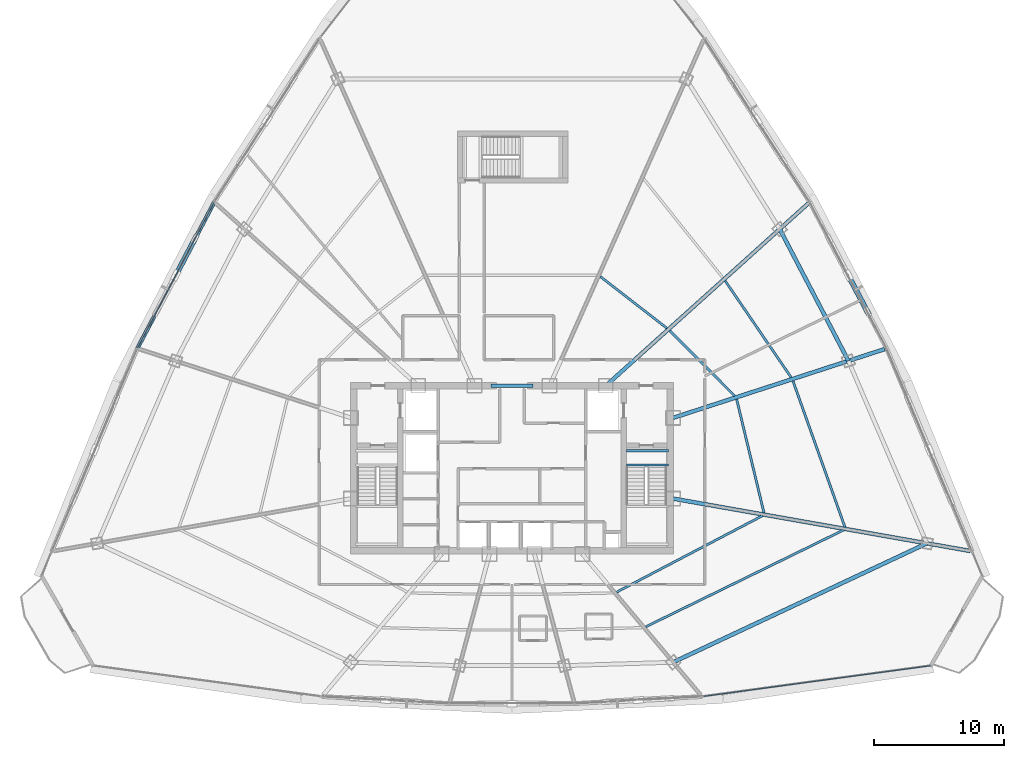
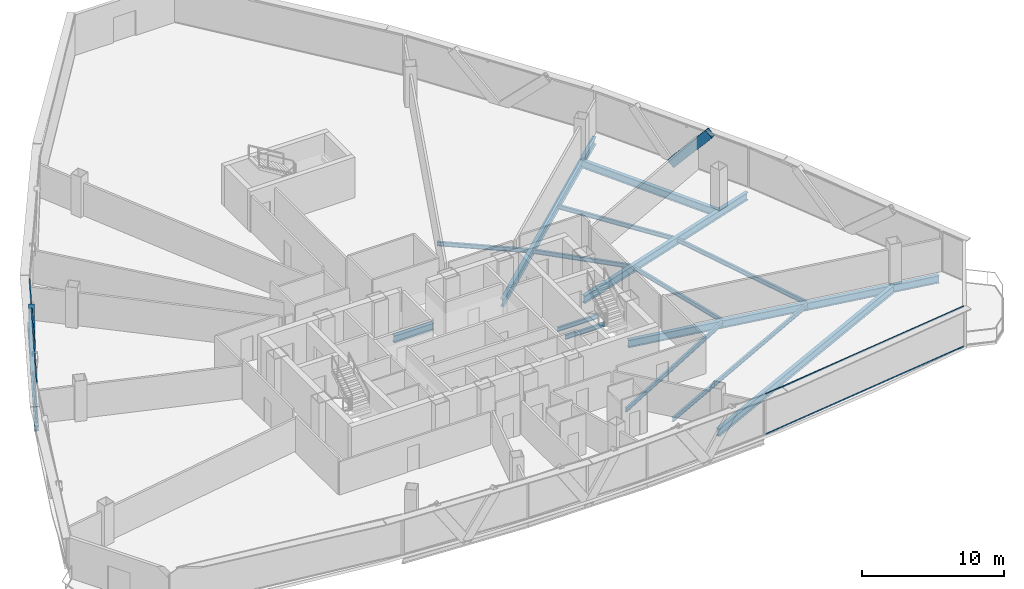
# One storey, part 13 of 34: 16 beams, 6 members, 2 elements without a shape of their own.
"""IFC4 building model written with IfcOpenShell, lengths in metres."""

from ifc_helpers import new_model, si_unit, direction, frame, origin, origin_2d, place, context, subcontext, project, spatial, hollow_rectangle, i_section, extrude, source, transform, mapped, material, layer, layer_set, material_profile, profile_set, type_object, element, aggregate, save


model = new_model("IFC4")

# Units and contexts
model_context = context("Model", 3, precision=1e-05, world=origin(), true_north=direction((0.0, 1.0)))
body_context = subcontext(model_context, "Body", "Model", "MODEL_VIEW")
ifc_project = project(units=[si_unit("LENGTHUNIT", "METRE"), si_unit("AREAUNIT", "SQUARE_METRE"), si_unit("VOLUMEUNIT", "CUBIC_METRE"), si_unit("PLANEANGLEUNIT", "RADIAN"), si_unit("MASSUNIT", "GRAM", prefix="KILO"), si_unit("THERMODYNAMICTEMPERATUREUNIT", "KELVIN"), si_unit("POWERUNIT", "WATT")], contexts=[model_context])

# Site, building, storey
site_placement = place(None, origin())
site = spatial("IfcSite", under=ifc_project, at=site_placement, CompositionType="ELEMENT")
building_placement = place(site_placement, origin())
building = spatial("IfcBuilding", under=site, at=building_placement, Name="Yunzhuo Pagoda Commons", CompositionType="ELEMENT")
storey_placement = place(building_placement, frame((0.0, 0.0, 233.340087890625)))
storey = spatial("IfcBuildingStorey", under=building, at=storey_placement, Name="L58", CompositionType="ELEMENT", Elevation=233.340087890625)

# Beams
ifc_material_1 = material(Name="Structural steel Q355B", Category="steel")
ifc_material_profile_1 = material_profile(ifc_material_1, i_section(OverallWidth=0.175048828125, OverallDepth=0.35009765625, WebThickness=0.007080078125, FlangeThickness=0.010986328125, at=origin_2d()), Name="Structural steel Q355B")
ifc_profile_set_1 = profile_set([ifc_material_profile_1], Name="Structural steel Q355B")
beam_type_1 = type_object("IfcBeamType", Name="B-JS2 Joist HN 350x175x7x11", PredefinedType="JOIST", material=ifc_profile_set_1)
shared_shape_1 = source(origin(), body_context, "Body", "SweptSolid", [
    extrude(i_section(OverallWidth=0.175048828125, OverallDepth=0.35009765625, WebThickness=0.007080078125, FlangeThickness=0.010986328125, at=origin_2d()), origin(), (0.0, 0.0, 1.0), 3.25),
])
for number, where, z_axis, x_axis, name in (
    (1, (56.800048828125, 34.10009765625, -0.375), (1.0, 0.0, 0.0), (0.0, 1.0, 0.0), "L58 ST2 landing support beam 162A"),
    (2, (56.800048828125, 35.199951171875, -0.375), (1.0, 0.0, 0.0), (0.0, 1.0, 0.0), "L58 ST2 landing support beam 162B"),
):
    element("IfcBeam", number, at=place(storey_placement, frame(where, z_axis=z_axis, x_axis=x_axis)), inside=storey, type_object=beam_type_1, Name=name, PredefinedType="JOIST", context=body_context, shape_type="MappedRepresentation", body=[
        mapped(shared_shape_1, transform((0.0, 0.0, 0.0), scale=1.0)),
    ])
ifc_material_2 = material(Name="Structural steel Q420B", Category="steel")
ifc_material_profile_2 = material_profile(ifc_material_2, i_section(OverallWidth=0.300048828125, OverallDepth=0.587890625, WebThickness=0.011962890625, FlangeThickness=0.02001953125, at=origin_2d()), Name="Structural steel Q420B")
ifc_profile_set_2 = profile_set([ifc_material_profile_2], Name="Structural steel Q420B")
beam_type_2 = type_object("IfcBeamType", Name="B-CPL Beam HM 588x300x12x20", PredefinedType="BEAM", material=ifc_profile_set_2)
shared_shape_2 = source(origin(), body_context, "Body", "SweptSolid", [
    extrude(i_section(OverallWidth=0.300048828125, OverallDepth=0.587890625, WebThickness=0.011962890625, FlangeThickness=0.02001953125, at=origin_2d()), origin(), (0.0, 0.0, 1.0), 3.2001953125),
])
beam_1_placement = place(storey_placement, frame((46.39990234375, 40.199951171875, -0.55419921875), z_axis=(1.0, 0.0, 0.0), x_axis=(0.0, 1.0, 0.0)))
element("IfcBeam", 3, at=beam_1_placement, inside=storey, type_object=beam_type_2, Name="L58 core coupling girder", PredefinedType="BEAM", context=body_context, shape_type="MappedRepresentation", body=[
    mapped(shared_shape_2, transform((0.0, 0.0, 0.0), scale=1.0)),
])
ifc_material_profile_3 = material_profile(ifc_material_1, i_section(OverallWidth=0.300048828125, OverallDepth=0.43994140625, WebThickness=0.010986328125, FlangeThickness=0.01806640625, at=origin_2d()), Name="Structural steel Q355B")
ifc_profile_set_3 = profile_set([ifc_material_profile_3], Name="Structural steel Q355B")
beam_type_3 = type_object("IfcBeamType", Name="B-SP2 Beam HM 440x300x11x18", PredefinedType="BEAM", material=ifc_profile_set_3)
shared_shape_3 = source(origin(), body_context, "Body", "SweptSolid", [
    extrude(i_section(OverallWidth=0.300048828125, OverallDepth=0.43994140625, WebThickness=0.010986328125, FlangeThickness=0.01806640625, at=origin_2d()), origin(), (0.0, 0.0, 1.0), 12.72802734375),
])
beam_2_placement = place(storey_placement, frame((25.07861328125, 54.33837890625, -0.47998046875), z_axis=(-0.465335297966, -0.88513448722, 0.0), x_axis=(0.88513448722, -0.465335297966, 0.0)))
element("IfcBeam", 4, at=beam_2_placement, inside=storey, type_object=beam_type_3, Name="L58 facade edge spandrel beam F3.2", PredefinedType="BEAM", context=body_context, shape_type="MappedRepresentation", body=[
    mapped(shared_shape_3, transform((0.0, 0.0, 0.0), scale=1.0)),
])
ifc_material_profile_4 = material_profile(ifc_material_1, i_section(OverallWidth=0.300048828125, OverallDepth=0.64990234375, WebThickness=0.012939453125, FlangeThickness=0.02197265625, at=origin_2d()), Name="Structural steel Q355B")
ifc_profile_set_4 = profile_set([ifc_material_profile_4], Name="Structural steel Q355B")
beam_type_4 = type_object("IfcBeamType", Name="B-RG2 Beam HN 650x300x13x22", PredefinedType="BEAM", material=ifc_profile_set_4)
shared_shape_4 = source(origin(), body_context, "Body", "SweptSolid", [
    extrude(i_section(OverallWidth=0.300048828125, OverallDepth=0.64990234375, WebThickness=0.012939453125, FlangeThickness=0.02197265625, at=origin_2d()), origin(), (0.0, 0.0, 1.0), 21.56689453125),
])
beam_3_placement = place(storey_placement, frame((60.406982421875, 18.913818359375, -0.585205078125), z_axis=(0.905424265365, 0.424507832304, 0.0), x_axis=(-0.424507832304, 0.905424265365, 0.0)))
element("IfcBeam", 5, at=beam_3_placement, inside=storey, type_object=beam_type_4, Name="L58 column-ring beam 4", PredefinedType="BEAM", context=body_context, shape_type="MappedRepresentation", body=[
    mapped(shared_shape_4, transform((0.0, 0.0, 0.0), scale=1.0)),
])
shared_shape_5 = source(origin(), body_context, "Body", "SweptSolid", [
    extrude(i_section(OverallWidth=0.300048828125, OverallDepth=0.64990234375, WebThickness=0.012939453125, FlangeThickness=0.02197265625, at=origin_2d()), origin(), (0.0, 0.0, 1.0), 11.43896484375),
])
beam_4_placement = place(storey_placement, frame((73.898681640625, 42.114990234375, -0.585205078125), z_axis=(-0.462175736513, 0.886788356136, 0.0), x_axis=(-0.886788356136, -0.462175736513, 0.0)))
element("IfcBeam", 6, at=beam_4_placement, inside=storey, type_object=beam_type_4, Name="L58 column-ring beam 6", PredefinedType="BEAM", context=body_context, shape_type="MappedRepresentation", body=[
    mapped(shared_shape_5, transform((0.0, 0.0, 0.0), scale=1.0)),
])
shared_shape_6 = source(origin(), body_context, "Body", "SweptSolid", [
    extrude(i_section(OverallWidth=0.300048828125, OverallDepth=0.64990234375, WebThickness=0.012939453125, FlangeThickness=0.02197265625, at=origin_2d()), origin(), (0.0, 0.0, 1.0), 23.22265625),
])
beam_5_placement = place(storey_placement, frame((83.269775390625, 27.48095703125, -0.585205078125), z_axis=(-0.984808525924, 0.173643794211, 0.0), x_axis=(-0.173643794211, -0.984808525924, 0.0)))
element("IfcBeam", 7, at=beam_5_placement, inside=storey, type_object=beam_type_4, Name="L58 radial floor girder F2C1", PredefinedType="BEAM", context=body_context, shape_type="MappedRepresentation", body=[
    mapped(shared_shape_6, transform((0.0, 0.0, 0.0), scale=1.0)),
])
shared_shape_7 = source(origin(), body_context, "Body", "SweptSolid", [
    extrude(i_section(OverallWidth=0.300048828125, OverallDepth=0.64990234375, WebThickness=0.012939453125, FlangeThickness=0.02197265625, at=origin_2d()), origin(), (0.0, 0.0, 1.0), 17.135986328125),
])
beam_6_placement = place(storey_placement, frame((76.697265625, 43.024169921875, -0.585205078125), z_axis=(-0.951059402888, -0.309008110214, 0.0), x_axis=(0.309008110214, -0.951059402888, 0.0)))
element("IfcBeam", 8, at=beam_6_placement, inside=storey, type_object=beam_type_4, Name="L58 radial floor girder F2C2", PredefinedType="BEAM", context=body_context, shape_type="MappedRepresentation", body=[
    mapped(shared_shape_7, transform((0.0, 0.0, 0.0), scale=1.0)),
])
shared_shape_8 = source(origin(), body_context, "Body", "SweptSolid", [
    extrude(i_section(OverallWidth=0.300048828125, OverallDepth=0.64990234375, WebThickness=0.012939453125, FlangeThickness=0.02197265625, at=origin_2d()), origin(), (0.0, 0.0, 1.0), 20.974609375),
])
beam_7_placement = place(storey_placement, frame((70.80615234375, 54.23486328125, -0.585205078125), z_axis=(-0.743140751916, -0.669135130479, 0.0), x_axis=(0.669135130479, -0.743140751916, 0.0)))
element("IfcBeam", 9, at=beam_7_placement, inside=storey, type_object=beam_type_4, Name="L58 radial floor girder F2C3", PredefinedType="BEAM", context=body_context, shape_type="MappedRepresentation", body=[
    mapped(shared_shape_8, transform((0.0, 0.0, 0.0), scale=1.0)),
])
shared_shape_9 = source(origin(), body_context, "Body", "SweptSolid", [
    extrude(i_section(OverallWidth=0.175048828125, OverallDepth=0.35009765625, WebThickness=0.007080078125, FlangeThickness=0.010986328125, at=origin_2d()), origin(), (0.0, 0.0, 1.0), 12.666259765625),
])
beam_8_placement = place(storey_placement, frame((56.0712890625, 24.32275390625, -0.43505859375), z_axis=(0.885841344078, 0.463988268302, 0.0), x_axis=(-0.463988268302, 0.885841344078, 0.0)))
element("IfcBeam", 10, at=beam_8_placement, inside=storey, type_object=beam_type_1, Name="L58 composite ring joist 1.4", PredefinedType="JOIST", context=body_context, shape_type="MappedRepresentation", body=[
    mapped(shared_shape_9, transform((0.0, 0.0, 0.0), scale=1.0)),
])
shared_shape_10 = source(origin(), body_context, "Body", "SweptSolid", [
    extrude(i_section(OverallWidth=0.175048828125, OverallDepth=0.35009765625, WebThickness=0.007080078125, FlangeThickness=0.010986328125, at=origin_2d()), origin(), (0.0, 0.0, 1.0), 16.95361328125),
])
beam_9_placement = place(storey_placement, frame((58.3115234375, 21.6513671875, -0.43505859375), z_axis=(0.898261717675, 0.439460904473, 0.0), x_axis=(-0.439460904473, 0.898261717675, 0.0)))
element("IfcBeam", 11, at=beam_9_placement, inside=storey, type_object=beam_type_1, Name="L58 composite ring joist 2.4", PredefinedType="JOIST", context=body_context, shape_type="MappedRepresentation", body=[
    mapped(shared_shape_10, transform((0.0, 0.0, 0.0), scale=1.0)),
])
shared_shape_11 = source(origin(), body_context, "Body", "SweptSolid", [
    extrude(i_section(OverallWidth=0.175048828125, OverallDepth=0.35009765625, WebThickness=0.007080078125, FlangeThickness=0.010986328125, at=origin_2d()), origin(), (0.0, 0.0, 1.0), 8.973876953125),
])
beam_10_placement = place(storey_placement, frame((67.395263671875, 30.42822265625, -0.43505859375), z_axis=(-0.233858589105, 0.972270620919, 0.0), x_axis=(-0.972270620919, -0.233858589105, 0.0)))
element("IfcBeam", 12, at=beam_10_placement, inside=storey, type_object=beam_type_1, Name="L58 composite ring joist 1.5", PredefinedType="JOIST", context=body_context, shape_type="MappedRepresentation", body=[
    mapped(shared_shape_11, transform((0.0, 0.0, 0.0), scale=1.0)),
])
shared_shape_12 = source(origin(), body_context, "Body", "SweptSolid", [
    extrude(i_section(OverallWidth=0.175048828125, OverallDepth=0.35009765625, WebThickness=0.007080078125, FlangeThickness=0.010986328125, at=origin_2d()), origin(), (0.0, 0.0, 1.0), 11.929931640625),
])
beam_11_placement = place(storey_placement, frame((73.6298828125, 29.3212890625, -0.43505859375), z_axis=(-0.335086374925, 0.942187413066, 0.0), x_axis=(-0.942187413066, -0.335086374925, 0.0)))
element("IfcBeam", 13, at=beam_11_placement, inside=storey, type_object=beam_type_1, Name="L58 composite ring joist 2.5", PredefinedType="JOIST", context=body_context, shape_type="MappedRepresentation", body=[
    mapped(shared_shape_12, transform((0.0, 0.0, 0.0), scale=1.0)),
])
shared_shape_13 = source(origin(), body_context, "Body", "SweptSolid", [
    extrude(i_section(OverallWidth=0.175048828125, OverallDepth=0.35009765625, WebThickness=0.007080078125, FlangeThickness=0.010986328125, at=origin_2d()), origin(), (0.0, 0.0, 1.0), 7.0732421875),
])
beam_12_placement = place(storey_placement, frame((65.147216796875, 39.42041015625, -0.43505859375), z_axis=(-0.706139657206, 0.708072584218, 0.0), x_axis=(-0.708072584218, -0.706139657206, 0.0)))
element("IfcBeam", 14, at=beam_12_placement, inside=storey, type_object=beam_type_1, Name="L58 composite ring joist 1.6", PredefinedType="JOIST", context=body_context, shape_type="MappedRepresentation", body=[
    mapped(shared_shape_13, transform((0.0, 0.0, 0.0), scale=1.0)),
])
shared_shape_14 = source(origin(), body_context, "Body", "SweptSolid", [
    extrude(i_section(OverallWidth=0.175048828125, OverallDepth=0.35009765625, WebThickness=0.007080078125, FlangeThickness=0.010986328125, at=origin_2d()), origin(), (0.0, 0.0, 1.0), 8.99365234375),
])
beam_13_placement = place(storey_placement, frame((69.4892578125, 40.8427734375, -0.43505859375), z_axis=(-0.564098900337, 0.825707230584, 0.0), x_axis=(-0.825707230584, -0.564098900337, 0.0)))
element("IfcBeam", 15, at=beam_13_placement, inside=storey, type_object=beam_type_1, Name="L58 composite ring joist 2.6", PredefinedType="JOIST", context=body_context, shape_type="MappedRepresentation", body=[
    mapped(shared_shape_14, transform((0.0, 0.0, 0.0), scale=1.0)),
])
shared_shape_15 = source(origin(), body_context, "Body", "SweptSolid", [
    extrude(i_section(OverallWidth=0.175048828125, OverallDepth=0.35009765625, WebThickness=0.007080078125, FlangeThickness=0.010986328125, at=origin_2d()), origin(), (0.0, 0.0, 1.0), 6.4677734375),
])
beam_14_placement = place(storey_placement, frame((59.914794921875, 44.638671875, -0.43505859375), z_axis=(-0.790160481991, 0.612900002202, 0.0), x_axis=(-0.612900002202, -0.790160481991, 0.0)))
element("IfcBeam", 16, at=beam_14_placement, inside=storey, type_object=beam_type_1, Name="L58 composite ring joist 1.7", PredefinedType="JOIST", context=body_context, shape_type="MappedRepresentation", body=[
    mapped(shared_shape_15, transform((0.0, 0.0, 0.0), scale=1.0)),
])

# Members
ifc_material_profile_5 = material_profile(ifc_material_1, hollow_rectangle(XDim=0.39990234375, YDim=0.719970703125, WallThickness=0.02392578125, at=origin_2d()), Name="Structural steel Q355B")
ifc_profile_set_5 = profile_set([ifc_material_profile_5], Name="Structural steel Q355B")
member_type_1 = type_object("IfcMemberType", Name="M-DL2 Brace BOX 720x400x24", PredefinedType="BRACE", material=ifc_profile_set_5)
shared_shape_16 = source(origin(), body_context, "Body", "SweptSolid", [
    extrude(hollow_rectangle(XDim=0.39990234375, YDim=0.719970703125, WallThickness=0.02392578125, at=origin_2d()), origin(), (0.0, 0.0, 1.0), 4.90283203125),
])
for number, where, z_axis, x_axis, name in (
    (17, (73.883056640625, 48.705322265625, -0.260009765625), (0.301960074757, -0.574490993152, 0.76077605906), (0.885174392601, 0.465259384305, 0.0), "L58 facade diamond brace F2.2L"),
    (18, (22.117431640625, 48.705322265625, -0.260009765625), (0.301960074757, 0.574490993152, 0.76077605906), (-0.885174392601, 0.465259384305, 0.0), "L58 facade diamond brace F3.2L"),
):
    element("IfcMember", number, at=place(storey_placement, frame(where, z_axis=z_axis, x_axis=x_axis)), inside=storey, type_object=member_type_1, Name=name, PredefinedType="BRACE", context=body_context, shape_type="MappedRepresentation", body=[
        mapped(shared_shape_16, transform((0.0, 0.0, 0.0), scale=1.0)),
    ])

# Curtain wall, members
ifc_material_3 = material(Name="Anodized aluminium 6063-T6", Category="aluminium")
ifc_layer = layer(ifc_material_3, 0.139892578125)
ifc_layer_set = layer_set([ifc_layer], Name="Anodized aluminium 6063-T6")
curtain_wall_type = type_object("IfcCurtainWallType", Name="CW-HI High-Zone Ribbon Curtain Wall", PredefinedType="NOTDEFINED", material=ifc_layer_set)
curtain_wall_1_placement = place(storey_placement, origin())
curtain_wall_1 = element("IfcCurtainWall", 19, at=curtain_wall_1_placement, inside=storey, type_object=curtain_wall_type, Name="L58 curtain wall CW-L58-F1B5", PredefinedType="NOTDEFINED")
ifc_material_profile_6 = material_profile(ifc_material_3, hollow_rectangle(XDim=0.054931640625, YDim=0.1201171875, WallThickness=0.00341796875, at=origin_2d()), Name="Anodized aluminium 6063-T6")
ifc_profile_set_6 = profile_set([ifc_material_profile_6], Name="Anodized aluminium 6063-T6")
member_type_2 = type_object("IfcMemberType", Name="CW-HI-T Transom RHS 120x55x3.5", PredefinedType="USERDEFINED", material=ifc_profile_set_6)
shared_shape_17 = source(origin(), body_context, "Body", "SweptSolid", [
    extrude(hollow_rectangle(XDim=0.054931640625, YDim=0.1201171875, WallThickness=0.00341796875, at=origin_2d()), origin(), (0.0, 0.0, 1.0), 17.590087890625),
])
member_1_placement = place(storey_placement, frame((62.75634765625, 16.29150390625, 0.02734375), z_axis=(0.990991783223, 0.133922685102, 0.0), x_axis=(-0.133922685102, 0.990991783223, 0.0)))
member_1 = element("IfcMember", 20, at=member_1_placement, type_object=member_type_2, Name="CW transom 1.1", ObjectType="TRANSOM", PredefinedType="USERDEFINED", context=body_context, shape_type="MappedRepresentation", body=[
    mapped(shared_shape_17, transform((0.0, 0.0, 0.0), scale=1.0)),
])
member_2_placement = place(storey_placement, frame((62.75634765625, 16.29150390625, 3.4423828125), z_axis=(0.990991783223, 0.133922685102, 0.0), x_axis=(-0.133922685102, 0.990991783223, 0.0)))
member_2 = element("IfcMember", 21, at=member_2_placement, type_object=member_type_2, Name="CW transom 1.2", ObjectType="TRANSOM", PredefinedType="USERDEFINED", context=body_context, shape_type="MappedRepresentation", body=[
    mapped(shared_shape_17, transform((0.0, 0.0, 0.0), scale=1.0)),
])
aggregate(curtain_wall_1, [member_1, member_2])

curtain_wall_2_placement = place(storey_placement, origin())
curtain_wall_2 = element("IfcCurtainWall", 22, at=curtain_wall_2_placement, inside=storey, type_object=curtain_wall_type, Name="L58 curtain wall CW-L58-F3B3", PredefinedType="NOTDEFINED")
shared_shape_18 = source(origin(), body_context, "Body", "SweptSolid", [
    extrude(hollow_rectangle(XDim=0.054931640625, YDim=0.1201171875, WallThickness=0.00341796875, at=origin_2d()), origin(), (0.0, 0.0, 1.0), 12.6083984375),
])
member_3_placement = place(storey_placement, frame((25.05078125, 54.285400390625, 0.02734375), z_axis=(-0.465337780668, -0.885133182003, 0.0), x_axis=(0.885133182003, -0.465337780668, 0.0)))
member_3 = element("IfcMember", 23, at=member_3_placement, type_object=member_type_2, Name="CW transom 1.1", ObjectType="TRANSOM", PredefinedType="USERDEFINED", context=body_context, shape_type="MappedRepresentation", body=[
    mapped(shared_shape_18, transform((0.0, 0.0, 0.0), scale=1.0)),
])
member_4_placement = place(storey_placement, frame((25.05078125, 54.285400390625, 3.4423828125), z_axis=(-0.465337780668, -0.885133182003, 0.0), x_axis=(0.885133182003, -0.465337780668, 0.0)))
member_4 = element("IfcMember", 24, at=member_4_placement, type_object=member_type_2, Name="CW transom 1.2", ObjectType="TRANSOM", PredefinedType="USERDEFINED", context=body_context, shape_type="MappedRepresentation", body=[
    mapped(shared_shape_18, transform((0.0, 0.0, 0.0), scale=1.0)),
])
aggregate(curtain_wall_2, [member_3, member_4])

save(model, "model.ifc")
